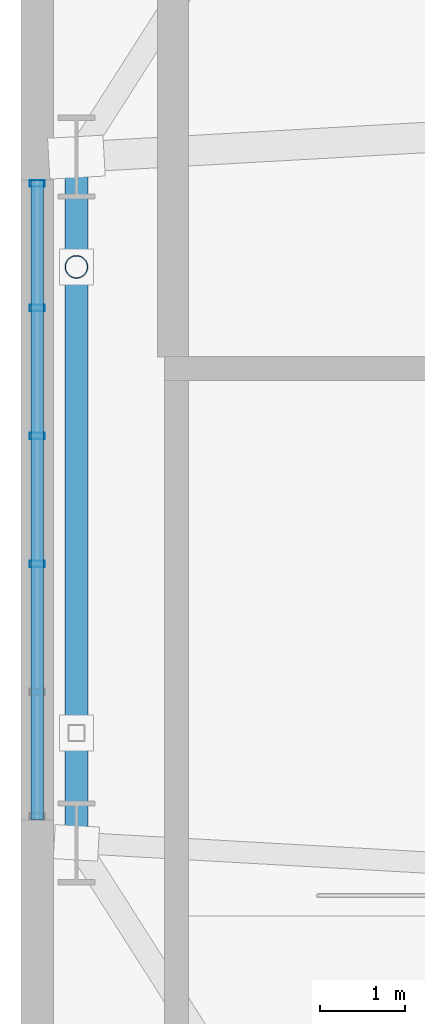
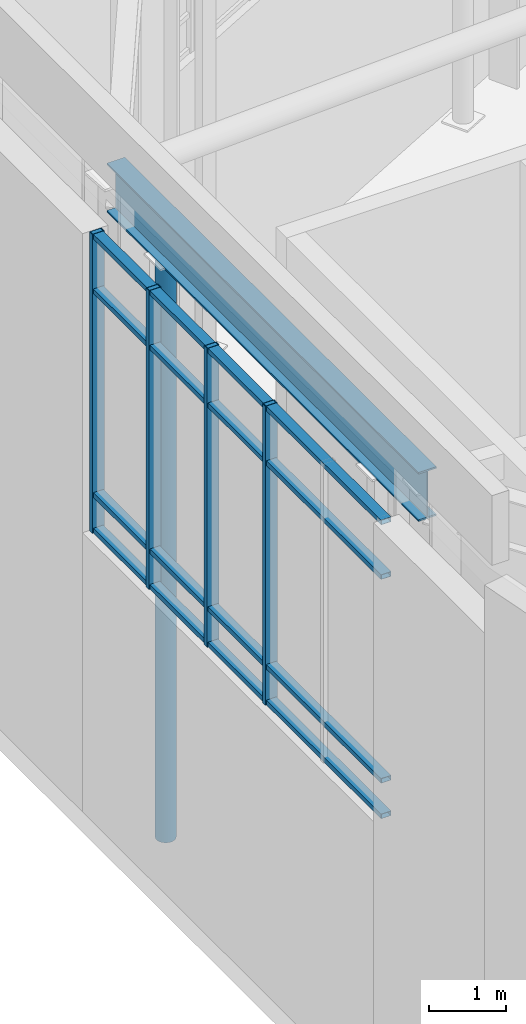
# One storey, part 8 of 23: 9 members, 1 beam, 1 element without a shape of its own.
"""IFC4 building model written with IfcOpenShell, lengths in metres."""

import ifcopenshell
import ifcopenshell.guid

model = None  # the IFC model being written
_history = None  # IfcOwnerHistory: only IFC2X3 demands one
_inside = {}  # id of a spatial element -> (the spatial element, [elements in it])
_under = {}  # id of a project, library or spatial element -> (it, [spatial elements below it])
_declared = {}  # id of a project -> (the project, [libraries it declares])
_typed = {}  # id of a type object -> (the type object, [elements of that type])
_made_of = {}  # id of a material, layer set ... -> (it, [elements and type objects made of it])


def new_model(schema):
    """Start an empty IFC model of exactly this schema.

    Asked for "IFC4X3", IfcOpenShell would pick the latest addendum, in which some entities
    have other attributes; the version numbers below select the first issue.
    IFC2X3 requires an IfcOwnerHistory on every rooted entity: one is made here for all.
    """
    global model, _history
    if schema == "IFC4X3":
        model = ifcopenshell.file(schema_version=(4, 3, 0, 0))
    else:
        model = ifcopenshell.file(schema=schema)
    _inside.clear()
    _under.clear()
    _declared.clear()
    _typed.clear()
    _made_of.clear()
    _history = None
    if model.schema == "IFC2X3":
        org = make("IfcOrganization", Name="unknown")
        user = make(
            "IfcPersonAndOrganization",
            ThePerson=make("IfcPerson", FamilyName="unknown"),
            TheOrganization=org,
        )
        app = make(
            "IfcApplication",
            ApplicationDeveloper=org,
            Version="unknown",
            ApplicationFullName="unknown",
            ApplicationIdentifier="unknown",
        )
        _history = make(
            "IfcOwnerHistory",
            OwningUser=user,
            OwningApplication=app,
            ChangeAction="ADDED",
            CreationDate=0,
        )
    return model


def make(cls, **values):
    """One entity of the class cls with the attributes given. An attribute that is None is left unset."""
    return model.create_entity(
        cls, **{name: value for name, value in values.items() if value is not None}
    )


def rooted(cls, **values):
    """An entity with a GlobalId (a new one), such as an element, a storey or a relation."""
    return make(cls, GlobalId=ifcopenshell.guid.new(), OwnerHistory=_history, **values)


def si_unit(unit_type, name, prefix=None):
    """IfcSIUnit, for example si_unit("LENGTHUNIT", "METRE", prefix="MILLI")."""
    return make("IfcSIUnit", UnitType=unit_type, Prefix=prefix, Name=name)


def assignment(units):
    """IfcUnitAssignment: the units of a project."""
    return None if units is None else make("IfcUnitAssignment", Units=units)


def point(xyz):
    """IfcCartesianPoint."""
    return None if xyz is None else make("IfcCartesianPoint", Coordinates=xyz)


def direction(xyz):
    """IfcDirection."""
    return None if xyz is None else make("IfcDirection", DirectionRatios=xyz)


def frame(location, z_axis=None, x_axis=None):
    """IfcAxis2Placement3D, a coordinate frame: its origin and axes. An axis left out is left unset."""
    return make(
        "IfcAxis2Placement3D",
        Location=point(location),
        Axis=direction(z_axis),
        RefDirection=direction(x_axis),
    )


def frame_2d(location, x_axis=None):
    """IfcAxis2Placement2D, a coordinate frame in the plane: its origin and x axis."""
    return make(
        "IfcAxis2Placement2D", Location=point(location), RefDirection=direction(x_axis)
    )


def origin():
    """The frame at (0, 0, 0) with its axes left unset."""
    return frame((0.0, 0.0, 0.0))


def origin_2d():
    """The frame at (0, 0) in the plane with its x axis left unset."""
    return frame_2d((0.0, 0.0))


def place(relative_to, where):
    """IfcLocalPlacement: puts the frame where relative to a parent placement (None: the world)."""
    return make(
        "IfcLocalPlacement", PlacementRelTo=relative_to, RelativePlacement=where
    )


def context(
    kind, dimensions, precision=None, world=None, true_north=None, identifier=None
):
    """IfcGeometricRepresentationContext, for example the 3D "Model" context."""
    return make(
        "IfcGeometricRepresentationContext",
        ContextIdentifier=identifier,
        ContextType=kind,
        CoordinateSpaceDimension=dimensions,
        Precision=precision,
        WorldCoordinateSystem=world,
        TrueNorth=true_north,
    )


def subcontext(parent, identifier, kind, view, scale=None):
    """IfcGeometricRepresentationSubContext, for example "Body" below "Model"."""
    return make(
        "IfcGeometricRepresentationSubContext",
        ContextIdentifier=identifier,
        ContextType=kind,
        ParentContext=parent,
        TargetScale=scale,
        TargetView=view,
    )


def project(units=None, contexts=None):
    """IfcProject with its units and contexts."""
    return rooted(
        "IfcProject",
        Name="project",
        RepresentationContexts=contexts,
        UnitsInContext=assignment(units),
    )


def spatial(cls, under=None, at=None, **own):
    """A site, building, storey or space (cls), placed at a placement, below another one or the project."""
    s = rooted(cls, ObjectPlacement=at, **own)
    if under is not None:
        _under.setdefault(under.id(), (under, []))[1].append(s)
    return s


def profile(cls, at=None, kind="AREA", **sizes):
    """A parametric profile (cls). Its sizes go by their IFC names, for example OverallWidth=200.0."""
    return make(cls, ProfileType=kind, Position=at, **sizes)


def hollow_rectangle(**sizes):
    """IfcRectangleHollowProfileDef."""
    return profile("IfcRectangleHollowProfileDef", **sizes)


def hollow_circle(**sizes):
    """IfcCircleHollowProfileDef."""
    return profile("IfcCircleHollowProfileDef", **sizes)


def i_section(**sizes):
    """IfcIShapeProfileDef."""
    return profile("IfcIShapeProfileDef", **sizes)


def extrude(swept, where, along, depth):
    """IfcExtrudedAreaSolid: the profile swept, set in the frame where, extruded along a direction by depth."""
    return make(
        "IfcExtrudedAreaSolid",
        SweptArea=swept,
        Position=where,
        ExtrudedDirection=direction(along),
        Depth=depth,
    )


def shape(context_of_items, identifier, shape_type, items):
    """IfcShapeRepresentation: the items that make up one representation, for example the "Body"."""
    return make(
        "IfcShapeRepresentation",
        ContextOfItems=context_of_items,
        RepresentationIdentifier=identifier,
        RepresentationType=shape_type,
        Items=items,
    )


def material(Name=None, Category=None):
    """IfcMaterial."""
    return make("IfcMaterial", Name=Name, Category=Category)


def layer(
    of_material, thickness, ventilated=None, Name=None, Category=None, Priority=None
):
    """IfcMaterialLayer: one layer of a wall or slab, of a material (None: an air gap)."""
    return make(
        "IfcMaterialLayer",
        Material=of_material,
        LayerThickness=thickness,
        IsVentilated=ventilated,
        Name=Name,
        Category=Category,
        Priority=Priority,
    )


def layer_set(layers, Name=None):
    """IfcMaterialLayerSet."""
    return make("IfcMaterialLayerSet", MaterialLayers=layers, LayerSetName=Name)


def material_profile(
    of_material, cross_section, Name=None, Category=None, Priority=None
):
    """IfcMaterialProfile: a cross section and its material."""
    return make(
        "IfcMaterialProfile",
        Name=Name,
        Material=of_material,
        Profile=cross_section,
        Priority=Priority,
        Category=Category,
    )


def profile_set(profiles, Name=None, composite=None):
    """IfcMaterialProfileSet."""
    return make(
        "IfcMaterialProfileSet",
        Name=Name,
        MaterialProfiles=profiles,
        CompositeProfile=composite,
    )


def made_of(thing, what):
    """Note that an element or type object is made of a material, layer set ...; save() writes the relation."""
    if what is not None:
        _made_of.setdefault(what.id(), (what, []))[1].append(thing)
    return thing


def type_object(cls, material=None, **own):
    """A type object (cls), such as IfcWallType, which elements share."""
    return made_of(rooted(cls, **own), material)


def element(
    cls,
    number,
    at=None,
    inside=None,
    cuts=None,
    type_object=None,
    material=None,
    context=None,
    identifier="Body",
    shape_type=None,
    held_by="IfcProductDefinitionShape",
    body=None,
    shapes=None,
    **own,
):
    """One element of the class cls, such as IfcWall. Its Tag is "e" and its number.

    at: its placement. inside: the storey or other place that contains it. cuts: it is an
    opening in that element (IfcRelVoidsElement). A single representation is given by context,
    identifier, shape_type and body (its items); several are given by shapes. held_by: the class
    of the entity that holds the representations. save() writes the other relations.
    """
    e = rooted(cls, Tag="e%d" % number, ObjectPlacement=at, **own)
    if body is not None:
        shapes = [shape(context, identifier, shape_type, body)]
    if shapes is not None:
        e.Representation = make(held_by, Representations=shapes)
    if inside is not None:
        _inside.setdefault(inside.id(), (inside, []))[1].append(e)
    if cuts is not None:
        rooted(
            "IfcRelVoidsElement", RelatingBuildingElement=cuts, RelatedOpeningElement=e
        )
    if type_object is not None:
        _typed.setdefault(type_object.id(), (type_object, []))[1].append(e)
    return made_of(e, material)


def aggregate(whole, parts):
    """IfcRelAggregates: a whole, such as a stair, and the parts it consists of."""
    return rooted("IfcRelAggregates", RelatingObject=whole, RelatedObjects=parts)


def save(model, path):
    """Write the relations noted so far, then the file.

    IfcRelAggregates (storeys below a building ...), IfcRelContainedInSpatialStructure (elements
    in a storey), IfcRelDefinesByType, IfcRelAssociatesMaterial and IfcRelDeclares: one each for
    every whole, place, type object, material and project.
    """
    for whole, parts in _under.values():
        aggregate(whole, parts)
    for where, things in _inside.values():
        rooted(
            "IfcRelContainedInSpatialStructure",
            RelatedElements=things,
            RelatingStructure=where,
        )
    for kind, things in _typed.values():
        rooted("IfcRelDefinesByType", RelatedObjects=things, RelatingType=kind)
    for what, things in _made_of.values():
        rooted("IfcRelAssociatesMaterial", RelatedObjects=things, RelatingMaterial=what)
    for by, libraries in _declared.values():
        rooted("IfcRelDeclares", RelatingContext=by, RelatedDefinitions=libraries)
    model.write(path)


model = new_model("IFC4")

# Units and contexts
model_context = context("Model", 3, precision=1e-05, world=origin(), true_north=direction((0.0, 1.0)))
body_context = subcontext(model_context, "Body", "Model", "MODEL_VIEW")
ifc_project = project(units=[si_unit("LENGTHUNIT", "METRE"), si_unit("AREAUNIT", "SQUARE_METRE"), si_unit("VOLUMEUNIT", "CUBIC_METRE"), si_unit("PLANEANGLEUNIT", "RADIAN"), si_unit("MASSUNIT", "GRAM", prefix="KILO"), si_unit("THERMODYNAMICTEMPERATUREUNIT", "KELVIN"), si_unit("POWERUNIT", "WATT")], contexts=[model_context])

# Site, building, storey
site_placement = place(None, origin())
site = spatial("IfcSite", under=ifc_project, at=site_placement, CompositionType="ELEMENT")
building_placement = place(site_placement, origin())
building = spatial("IfcBuilding", under=site, at=building_placement, Name="Skarre Station Tower", CompositionType="ELEMENT")
storey_placement = place(building_placement, frame((0.0, 0.0, 291.300048828125)))
storey = spatial("IfcBuildingStorey", under=building, at=storey_placement, Name="RF", CompositionType="ELEMENT", Elevation=291.300048828125)

# Curtain wall, members
ifc_material_1 = material(Name="Thermally Broken Bronze-Anodized Aluminium & Triple Low-E Glass", Category="aluminium")
ifc_layer = layer(ifc_material_1, 0.179931640625, Name="Thermally Broken Bronze-Anodized Aluminium & Triple Low-E Glass")
ifc_layer_set = layer_set([ifc_layer], Name="Thermally Broken Bronze-Anodized Aluminium & Triple Low-E Glass")
curtain_wall_type = type_object("IfcCurtainWallType", Name="Nordic Bronze Crown Lantern Stick Curtain Wall", PredefinedType="NOTDEFINED", material=ifc_layer_set)
curtain_wall_placement = place(storey_placement, origin())
curtain_wall = element("IfcCurtainWall", 1, at=curtain_wall_placement, inside=storey, type_object=curtain_wall_type, Name="RF Crown Lantern Facet 2 Curtain Wall", PredefinedType="NOTDEFINED")
ifc_material_2 = material(Name="Anodized Aluminium 6063-T6", Category="aluminium")
ifc_material_profile_1 = material_profile(ifc_material_2, hollow_rectangle(XDim=0.074951171875, YDim=0.14990234375, WallThickness=0.00390625, at=origin_2d()), Name="Anodized Aluminium 6063-T6")
ifc_profile_set_1 = profile_set([ifc_material_profile_1], Name="Anodized Aluminium 6063-T6")
member_type_1 = type_object("IfcMemberType", Name="Curtain-Wall Secondary Transom 150x75", PredefinedType="USERDEFINED", material=ifc_profile_set_1)
member_1_placement = place(storey_placement, frame((15.376953125, 20.2470703125, 4.43994140625), z_axis=(0.0, 1.0, 0.0), x_axis=(0.0, 0.0, 1.0)))
member_1 = element("IfcMember", 2, at=member_1_placement, type_object=member_type_1, Name="RF Crown Lantern Facet 2 Curtain Wall Transom 1", ObjectType="TRANSOM", PredefinedType="USERDEFINED", context=body_context, shape_type="SweptSolid", body=[
    extrude(hollow_rectangle(XDim=0.074951171875, YDim=0.14990234375, WallThickness=0.00390625, at=origin_2d()), origin(), (0.0, 0.0, 1.0), 7.505859375),
])
member_2_placement = place(storey_placement, frame((15.376953125, 20.2470703125, 5.0), z_axis=(0.0, 1.0, 0.0), x_axis=(0.0, 0.0, 1.0)))
member_2 = element("IfcMember", 3, at=member_2_placement, type_object=member_type_1, Name="RF Crown Lantern Facet 2 Curtain Wall Transom 2", ObjectType="TRANSOM", PredefinedType="USERDEFINED", context=body_context, shape_type="SweptSolid", body=[
    extrude(hollow_rectangle(XDim=0.074951171875, YDim=0.14990234375, WallThickness=0.00390625, at=origin_2d()), origin(), (0.0, 0.0, 1.0), 7.505859375),
])
member_3_placement = place(storey_placement, frame((15.376953125, 20.2470703125, 8.2099609375), z_axis=(0.0, 1.0, 0.0), x_axis=(0.0, 0.0, 1.0)))
member_3 = element("IfcMember", 4, at=member_3_placement, type_object=member_type_1, Name="RF Crown Lantern Facet 2 Curtain Wall Transom 3", ObjectType="TRANSOM", PredefinedType="USERDEFINED", context=body_context, shape_type="SweptSolid", body=[
    extrude(hollow_rectangle(XDim=0.074951171875, YDim=0.14990234375, WallThickness=0.00390625, at=origin_2d()), origin(), (0.0, 0.0, 1.0), 7.505859375),
])
member_4_placement = place(storey_placement, frame((15.376953125, 20.2470703125, 9.070068359375), z_axis=(0.0, 1.0, 0.0), x_axis=(0.0, 0.0, 1.0)))
member_4 = element("IfcMember", 5, at=member_4_placement, type_object=member_type_1, Name="RF Crown Lantern Facet 2 Curtain Wall Transom 4", ObjectType="TRANSOM", PredefinedType="USERDEFINED", context=body_context, shape_type="SweptSolid", body=[
    extrude(hollow_rectangle(XDim=0.074951171875, YDim=0.14990234375, WallThickness=0.00390625, at=origin_2d()), origin(), (0.0, 0.0, 1.0), 7.505859375),
])
ifc_material_profile_2 = material_profile(ifc_material_2, hollow_rectangle(XDim=0.074951171875, YDim=0.179931640625, WallThickness=0.00390625, at=origin_2d()), Name="Anodized Aluminium 6063-T6")
ifc_profile_set_2 = profile_set([ifc_material_profile_2], Name="Anodized Aluminium 6063-T6")
member_type_2 = type_object("IfcMemberType", Name="Curtain-Wall Unitised Tower Mullion 180x75", PredefinedType="MULLION", material=ifc_profile_set_2)
member_5_placement = place(storey_placement, frame((15.376953125, 23.2490234375, 4.39990234375), z_axis=(0.0, 0.0, 1.0), x_axis=(0.0, 1.0, 0.0)))
member_5 = element("IfcMember", 6, at=member_5_placement, type_object=member_type_2, Name="RF Crown Lantern Facet 2 Curtain Wall Mullion 3", PredefinedType="MULLION", context=body_context, shape_type="SweptSolid", body=[
    extrude(hollow_rectangle(XDim=0.074951171875, YDim=0.179931640625, WallThickness=0.00390625, at=origin_2d()), origin(), (0.0, 0.0, 1.0), 4.7099609375),
])
member_6_placement = place(storey_placement, frame((15.376953125, 24.7509765625, 4.39990234375), z_axis=(0.0, 0.0, 1.0), x_axis=(0.0, 1.0, 0.0)))
member_6 = element("IfcMember", 7, at=member_6_placement, type_object=member_type_2, Name="RF Crown Lantern Facet 2 Curtain Wall Mullion 4", PredefinedType="MULLION", context=body_context, shape_type="SweptSolid", body=[
    extrude(hollow_rectangle(XDim=0.074951171875, YDim=0.179931640625, WallThickness=0.00390625, at=origin_2d()), origin(), (0.0, 0.0, 1.0), 4.7099609375),
])
member_7_placement = place(storey_placement, frame((15.376953125, 26.251953125, 4.39990234375), z_axis=(0.0, 0.0, 1.0), x_axis=(0.0, 1.0, 0.0)))
member_7 = element("IfcMember", 8, at=member_7_placement, type_object=member_type_2, Name="RF Crown Lantern Facet 2 Curtain Wall Mullion 5", PredefinedType="MULLION", context=body_context, shape_type="SweptSolid", body=[
    extrude(hollow_rectangle(XDim=0.074951171875, YDim=0.179931640625, WallThickness=0.00390625, at=origin_2d()), origin(), (0.0, 0.0, 1.0), 4.7099609375),
])
member_8_placement = place(storey_placement, frame((15.376953125, 27.712890625, 4.39990234375), z_axis=(0.0, 0.0, 1.0), x_axis=(0.0, 1.0, 0.0)))
member_8 = element("IfcMember", 9, at=member_8_placement, type_object=member_type_2, Name="RF Crown Lantern Facet 2 Curtain Wall Mullion 6", PredefinedType="MULLION", context=body_context, shape_type="SweptSolid", body=[
    extrude(hollow_rectangle(XDim=0.074951171875, YDim=0.179931640625, WallThickness=0.00390625, at=origin_2d()), origin(), (0.0, 0.0, 1.0), 4.7099609375),
])
aggregate(curtain_wall, [member_5, member_6, member_7, member_8, member_1, member_2, member_3, member_4])

# Beam
ifc_material_3 = material(Name="Steel ASTM A992 Grade 50", Category="steel")
ifc_material_profile_3 = material_profile(ifc_material_3, i_section(OverallWidth=0.26806640625, OverallDepth=0.77001953125, WebThickness=0.01611328125, FlangeThickness=0.02490234375, at=origin_2d()), Name="Steel ASTM A992 Grade 50")
ifc_profile_set_3 = profile_set([ifc_material_profile_3], Name="Steel ASTM A992 Grade 50")
beam_type = type_object("IfcBeamType", Name="Steel Beam W30X132", PredefinedType="BEAM", material=ifc_profile_set_3)
beam_placement = place(storey_placement, frame((15.8369140625, 28.02099609375, 9.494873046875), z_axis=(0.0, -1.0, 0.0), x_axis=(1.0, 0.0, 0.0)))
element("IfcBeam", 10, at=beam_placement, inside=storey, type_object=beam_type, Name="RF Crown Lantern Cap Ring Beam 5", PredefinedType="BEAM", context=body_context, shape_type="SweptSolid", body=[
    extrude(i_section(OverallWidth=0.26806640625, OverallDepth=0.77001953125, WebThickness=0.01611328125, FlangeThickness=0.02490234375, at=origin_2d()), origin(), (0.0, 0.0, 1.0), 8.0419921875),
])

# Member
ifc_material_4 = material(Name="Steel ASTM A500 Grade C", Category="steel")
ifc_material_profile_4 = material_profile(ifc_material_4, hollow_circle(Radius=0.136474609375, WallThickness=0.011962890625, at=origin_2d()), Name="Steel ASTM A500 Grade C")
ifc_profile_set_4 = profile_set([ifc_material_profile_4], Name="Steel ASTM A500 Grade C")
member_type_3 = type_object("IfcMemberType", Name="Steel Truss Strut CHS273X12", PredefinedType="STRUT", material=ifc_profile_set_4)
member_9_placement = place(storey_placement, frame((15.8369140625, 26.73388671875, 0.0), z_axis=(0.0, 0.0, 1.0), x_axis=(1.0, 0.0, 0.0)))
element("IfcMember", 11, at=member_9_placement, inside=storey, type_object=member_type_3, Name="RF Crown Pier Post 5A", PredefinedType="STRUT", context=body_context, shape_type="SweptSolid", body=[
    extrude(hollow_circle(Radius=0.136474609375, WallThickness=0.011962890625, at=origin_2d()), origin(), (0.0, 0.0, 1.0), 9.119873046875),
])

save(model, "model.ifc")
